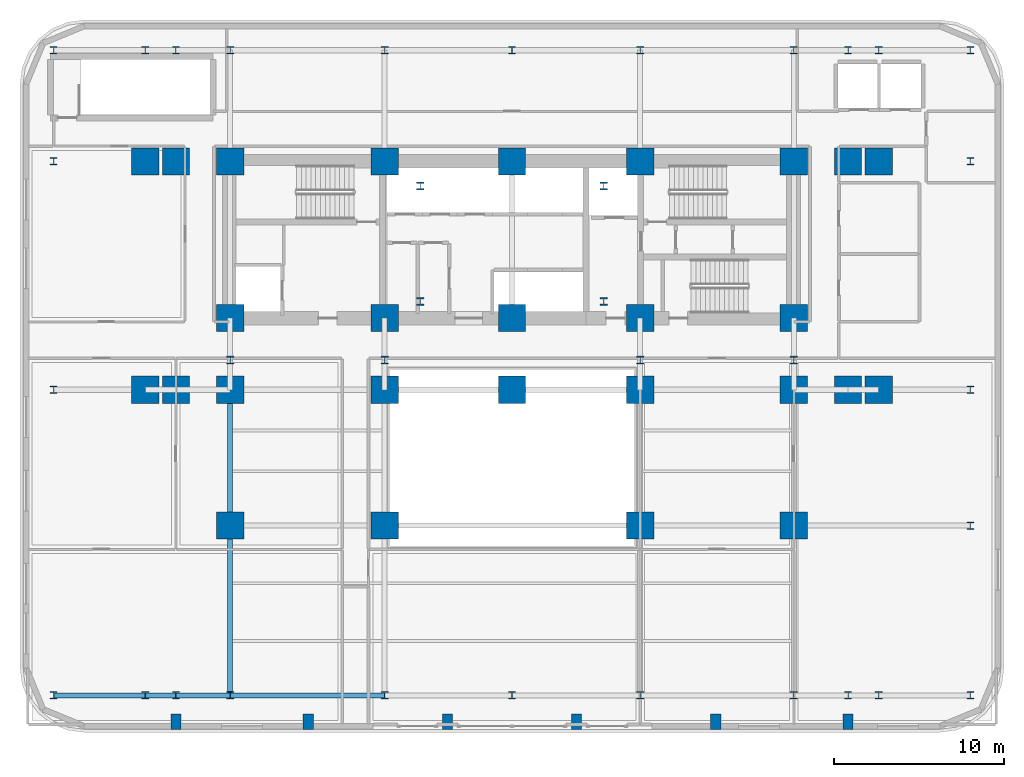
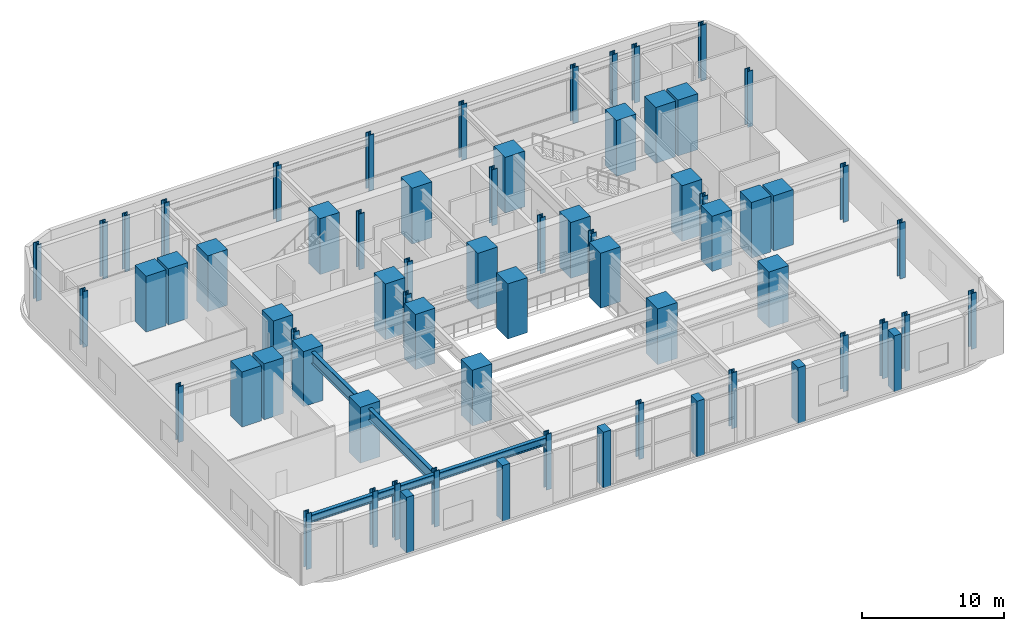
# One storey, part 1 of 15: 68 columns, 6 beams.
"""IFC4 building model written with IfcOpenShell, lengths in metres."""

from ifc_helpers import new_model, si_unit, direction, frame, origin, origin_2d, place, context, subcontext, project, spatial, rectangle, i_section, extrude, material, material_profile, profile_set, type_object, element, save


model = new_model("IFC4")

# Units and contexts
model_context = context("Model", 3, precision=1e-05, world=origin(), true_north=direction((0.0, 1.0)))
body_context = subcontext(model_context, "Body", "Model", "MODEL_VIEW")
ifc_project = project(units=[si_unit("LENGTHUNIT", "METRE"), si_unit("AREAUNIT", "SQUARE_METRE"), si_unit("VOLUMEUNIT", "CUBIC_METRE"), si_unit("PLANEANGLEUNIT", "RADIAN"), si_unit("MASSUNIT", "GRAM", prefix="KILO")], contexts=[model_context])

# Site, building, storey
site_placement = place(None, origin())
site = spatial("IfcSite", under=ifc_project, at=site_placement, CompositionType="ELEMENT")
building_placement = place(site_placement, origin())
building = spatial("IfcBuilding", under=site, at=building_placement, Name="Zarnavel Station Tower", CompositionType="ELEMENT")
storey_placement = place(building_placement, frame((0.0, 0.0, 24.199951171875)))
storey = spatial("IfcBuildingStorey", under=building, at=storey_placement, Name="L06", CompositionType="ELEMENT", Elevation=24.199951171875)

# Columns
ifc_material_1 = material(Name="Steel S460M", Category="steel")
ifc_material_profile_1 = material_profile(ifc_material_1, i_section(OverallWidth=0.424072265625, OverallDepth=0.449951171875, WebThickness=0.041015625, FlangeThickness=0.06494140625, FilletRadius=0.014892578125, at=origin_2d()), Name="HD400x509")
ifc_profile_set_1 = profile_set([ifc_material_profile_1], Name="Steel S460M")
column_type_1 = type_object("IfcColumnType", Name="EC_HD509", PredefinedType="COLUMN", material=ifc_profile_set_1)
for number, where, z_axis, x_axis, name in (
    (1, (1.800048828125, 5.60009765625, 0.0), (0.0, 0.0, 1.0), (1.0, 0.0, 0.0), "L06 Perimeter Column 1-1"),
    (2, (1.800048828125, 23.60009765625, 0.0), (0.0, 0.0, 1.0), (1.0, 0.0, 0.0), "L06 Perimeter Column 1-3"),
    (3, (1.800048828125, 37.050048828125, 0.0), (0.0, 0.0, 1.0), (1.0, 0.0, 0.0), "L06 Perimeter Column 1-4"),
    (4, (1.800048828125, 43.60009765625, 0.0), (0.0, 0.0, 1.0), (1.0, 0.0, 0.0), "L06 Perimeter Column 1-5"),
    (5, (7.199951171875, 5.60009765625, 0.0), (0.0, 0.0, 1.0), (1.0, 0.0, 0.0), "L06 Perimeter Column 2-1"),
    (6, (7.199951171875, 43.60009765625, 0.0), (0.0, 0.0, 1.0), (1.0, 0.0, 0.0), "L06 Perimeter Column 2-5"),
    (7, (9.0, 5.60009765625, 0.0), (0.0, 0.0, 1.0), (1.0, 0.0, 0.0), "L06 Perimeter Column 3-1"),
    (8, (9.0, 43.60009765625, 0.0), (0.0, 0.0, 1.0), (1.0, 0.0, 0.0), "L06 Perimeter Column 3-5"),
    (9, (12.199951171875, 5.60009765625, 0.0), (0.0, 0.0, 1.0), (1.0, 0.0, 0.0), "L06 Perimeter Column 4-1"),
    (10, (12.199951171875, 43.60009765625, 0.0), (0.0, 0.0, 1.0), (1.0, 0.0, 0.0), "L06 Perimeter Column 4-5"),
    (11, (21.300048828125, 5.60009765625, 0.0), (0.0, 0.0, 1.0), (1.0, 0.0, 0.0), "L06 Perimeter Column 5-1"),
    (12, (21.300048828125, 43.60009765625, 0.0), (0.0, 0.0, 1.0), (1.0, 0.0, 0.0), "L06 Perimeter Column 5-5"),
    (13, (28.800048828125, 5.60009765625, 0.0), (0.0, 0.0, 1.0), (1.0, 0.0, 0.0), "L06 Perimeter Column 6-1"),
    (14, (28.800048828125, 43.60009765625, 0.0), (0.0, 0.0, 1.0), (1.0, 0.0, 0.0), "L06 Perimeter Column 6-5"),
    (15, (36.35009765625, 5.60009765625, 0.0), (0.0, 0.0, 1.0), (1.0, 0.0, 0.0), "L06 Perimeter Column 7-1"),
    (16, (36.35009765625, 43.60009765625, 0.0), (0.0, 0.0, 1.0), (1.0, 0.0, 0.0), "L06 Perimeter Column 7-5"),
    (17, (45.39990234375, 5.60009765625, 0.0), (0.0, 0.0, 1.0), (1.0, 0.0, 0.0), "L06 Perimeter Column 8-1"),
    (18, (45.39990234375, 43.60009765625, 0.0), (0.0, 0.0, 1.0), (1.0, 0.0, 0.0), "L06 Perimeter Column 8-5"),
    (19, (48.60009765625, 5.60009765625, 0.0), (0.0, 0.0, 1.0), (1.0, 0.0, 0.0), "L06 Perimeter Column 9-1"),
    (20, (48.60009765625, 43.60009765625, 0.0), (0.0, 0.0, 1.0), (1.0, 0.0, 0.0), "L06 Perimeter Column 9-5"),
    (21, (50.39990234375, 5.60009765625, 0.0), (0.0, 0.0, 1.0), (1.0, 0.0, 0.0), "L06 Perimeter Column 10-1"),
    (22, (50.39990234375, 43.60009765625, 0.0), (0.0, 0.0, 1.0), (1.0, 0.0, 0.0), "L06 Perimeter Column 10-5"),
    (23, (55.800048828125, 5.60009765625, 0.0), (0.0, 0.0, 1.0), (1.0, 0.0, 0.0), "L06 Perimeter Column 11-1"),
    (24, (55.800048828125, 15.60009765625, 0.0), (0.0, 0.0, 1.0), (1.0, 0.0, 0.0), "L06 Perimeter Column 11-2"),
    (25, (55.800048828125, 23.60009765625, 0.0), (0.0, 0.0, 1.0), (1.0, 0.0, 0.0), "L06 Perimeter Column 11-3"),
    (26, (55.800048828125, 37.050048828125, 0.0), (0.0, 0.0, 1.0), (1.0, 0.0, 0.0), "L06 Perimeter Column 11-4"),
    (27, (55.800048828125, 43.60009765625, 0.0), (0.0, 0.0, 1.0), (1.0, 0.0, 0.0), "L06 Perimeter Column 11-5"),
):
    element("IfcColumn", number, at=place(storey_placement, frame(where, z_axis=z_axis, x_axis=x_axis)), inside=storey, type_object=column_type_1, Name=name, PredefinedType="COLUMN", context=body_context, shape_type="SweptSolid", body=[
        extrude(i_section(OverallWidth=0.424072265625, OverallDepth=0.449951171875, WebThickness=0.041015625, FlangeThickness=0.06494140625, FilletRadius=0.014892578125, at=origin_2d()), origin(), (0.0, 0.0, 1.0), 4.800048828125),
    ])
ifc_material_2 = material(Name="Steel S460M", Category="steel")
ifc_material_profile_2 = material_profile(ifc_material_2, i_section(OverallWidth=0.427978515625, OverallDepth=0.465087890625, WebThickness=0.044921875, FlangeThickness=0.072998046875, FilletRadius=0.014892578125, at=origin_2d()), Name="HD400x592")
ifc_profile_set_2 = profile_set([ifc_material_profile_2], Name="Steel S460M")
column_type_2 = type_object("IfcColumnType", Name="IC_HD592", PredefinedType="COLUMN", material=ifc_profile_set_2)
for number, where, z_axis, x_axis, name in (
    (28, (23.39990234375, 28.800048828125, 0.0), (0.0, 0.0, 1.0), (1.0, 0.0, 0.0), "L06 Mast Spine Column 1"),
    (29, (34.199951171875, 28.800048828125, 0.0), (0.0, 0.0, 1.0), (1.0, 0.0, 0.0), "L06 Mast Spine Column 2"),
    (30, (34.199951171875, 35.60009765625, 0.0), (0.0, 0.0, 1.0), (1.0, 0.0, 0.0), "L06 Mast Spine Column 3"),
    (31, (23.39990234375, 35.60009765625, 0.0), (0.0, 0.0, 1.0), (1.0, 0.0, 0.0), "L06 Mast Spine Column 4"),
    (32, (12.199951171875, 25.35009765625, 0.0), (0.0, 0.0, 1.0), (1.0, 0.0, 0.0), "L06 Inner Spine Column 1"),
    (33, (21.300048828125, 25.35009765625, 0.0), (0.0, 0.0, 1.0), (1.0, 0.0, 0.0), "L06 Inner Spine Column 2"),
    (34, (36.35009765625, 25.35009765625, 0.0), (0.0, 0.0, 1.0), (1.0, 0.0, 0.0), "L06 Inner Spine Column 4"),
    (35, (45.39990234375, 25.35009765625, 0.0), (0.0, 0.0, 1.0), (1.0, 0.0, 0.0), "L06 Inner Spine Column 5"),
):
    element("IfcColumn", number, at=place(storey_placement, frame(where, z_axis=z_axis, x_axis=x_axis)), inside=storey, type_object=column_type_2, Name=name, PredefinedType="COLUMN", context=body_context, shape_type="SweptSolid", body=[
        extrude(i_section(OverallWidth=0.427978515625, OverallDepth=0.465087890625, WebThickness=0.044921875, FlangeThickness=0.072998046875, FilletRadius=0.014892578125, at=origin_2d()), origin(), (0.0, 0.0, 1.0), 4.800048828125),
    ])
ifc_material_3 = material(Name="Concrete C60/75", Category="concrete")
ifc_material_profile_3 = material_profile(ifc_material_3, rectangle(XDim=1.60009765625, YDim=1.60009765625, at=origin_2d()), Name="RC1600x1600")
ifc_profile_set_3 = profile_set([ifc_material_profile_3], Name="Concrete C60/75")
column_type_3 = type_object("IfcColumnType", Name="IC_RC1600", PredefinedType="COLUMN", material=ifc_profile_set_3)
for number, where, z_axis, x_axis, name in (
    (36, (12.199951171875, 27.820068359375, 0.0), (0.0, 0.0, 1.0), (1.0, 0.0, 0.0), "L06 Core Spine Column 1-1"),
    (37, (12.199951171875, 37.050048828125, 0.0), (0.0, 0.0, 1.0), (1.0, 0.0, 0.0), "L06 Core Spine Column 1-2"),
    (38, (21.300048828125, 27.820068359375, 0.0), (0.0, 0.0, 1.0), (1.0, 0.0, 0.0), "L06 Core Spine Column 2-1"),
    (39, (21.300048828125, 37.050048828125, 0.0), (0.0, 0.0, 1.0), (1.0, 0.0, 0.0), "L06 Core Spine Column 2-2"),
    (40, (28.800048828125, 27.820068359375, 0.0), (0.0, 0.0, 1.0), (1.0, 0.0, 0.0), "L06 Core Spine Column 3-1"),
    (41, (28.800048828125, 37.050048828125, 0.0), (0.0, 0.0, 1.0), (1.0, 0.0, 0.0), "L06 Core Spine Column 3-2"),
    (42, (36.35009765625, 27.820068359375, 0.0), (0.0, 0.0, 1.0), (1.0, 0.0, 0.0), "L06 Core Spine Column 4-1"),
    (43, (36.35009765625, 37.050048828125, 0.0), (0.0, 0.0, 1.0), (1.0, 0.0, 0.0), "L06 Core Spine Column 4-2"),
    (44, (45.39990234375, 27.820068359375, 0.0), (0.0, 0.0, 1.0), (1.0, 0.0, 0.0), "L06 Core Spine Column 5-1"),
    (45, (45.39990234375, 37.050048828125, 0.0), (0.0, 0.0, 1.0), (1.0, 0.0, 0.0), "L06 Core Spine Column 5-2"),
):
    element("IfcColumn", number, at=place(storey_placement, frame(where, z_axis=z_axis, x_axis=x_axis)), inside=storey, type_object=column_type_3, Name=name, PredefinedType="COLUMN", context=body_context, shape_type="SweptSolid", body=[
        extrude(rectangle(XDim=1.60009765625, YDim=1.60009765625, at=origin_2d()), origin(), (0.0, 0.0, 1.0), 4.800048828125),
    ])
column_1_placement = place(storey_placement, frame((7.199951171875, 23.60009765625, 0.0), z_axis=(0.0, 0.0, 1.0), x_axis=(1.0, 0.0, 0.0)))
element("IfcColumn", 46, at=column_1_placement, inside=storey, type_object=column_type_3, Name="L06 Podium Column 2-3", PredefinedType="COLUMN", context=body_context, shape_type="SweptSolid", body=[
    extrude(rectangle(XDim=1.60009765625, YDim=1.60009765625, at=origin_2d()), origin(), (0.0, 0.0, 1.0), 4.73193359375),
])
for number, where, z_axis, x_axis, name in (
    (47, (7.199951171875, 37.050048828125, 0.0), (0.0, 0.0, 1.0), (1.0, 0.0, 0.0), "L06 Podium Column 2-4"),
    (48, (9.0, 23.60009765625, 0.0), (0.0, 0.0, 1.0), (1.0, 0.0, 0.0), "L06 Podium Column 3-3"),
    (49, (9.0, 37.050048828125, 0.0), (0.0, 0.0, 1.0), (1.0, 0.0, 0.0), "L06 Podium Column 3-4"),
    (50, (12.199951171875, 15.60009765625, 0.0), (0.0, 0.0, 1.0), (1.0, 0.0, 0.0), "L06 Podium Column 4-2"),
):
    element("IfcColumn", number, at=place(storey_placement, frame(where, z_axis=z_axis, x_axis=x_axis)), inside=storey, type_object=column_type_3, Name=name, PredefinedType="COLUMN", context=body_context, shape_type="SweptSolid", body=[
        extrude(rectangle(XDim=1.60009765625, YDim=1.60009765625, at=origin_2d()), origin(), (0.0, 0.0, 1.0), 4.800048828125),
    ])
column_2_placement = place(storey_placement, frame((12.199951171875, 23.60009765625, 0.0), z_axis=(0.0, 0.0, 1.0), x_axis=(1.0, 0.0, 0.0)))
element("IfcColumn", 51, at=column_2_placement, inside=storey, type_object=column_type_3, Name="L06 Podium Column 4-3", PredefinedType="COLUMN", context=body_context, shape_type="SweptSolid", body=[
    extrude(rectangle(XDim=1.60009765625, YDim=1.60009765625, at=origin_2d()), origin(), (0.0, 0.0, 1.0), 4.73193359375),
])
column_3_placement = place(storey_placement, frame((21.300048828125, 15.60009765625, 0.0), z_axis=(0.0, 0.0, 1.0), x_axis=(1.0, 0.0, 0.0)))
element("IfcColumn", 52, at=column_3_placement, inside=storey, type_object=column_type_3, Name="L06 Podium Column 5-2", PredefinedType="COLUMN", context=body_context, shape_type="SweptSolid", body=[
    extrude(rectangle(XDim=1.60009765625, YDim=1.60009765625, at=origin_2d()), origin(), (0.0, 0.0, 1.0), 4.800048828125),
])
for number, where, z_axis, x_axis, name in (
    (53, (21.300048828125, 23.60009765625, 0.0), (0.0, 0.0, 1.0), (1.0, 0.0, 0.0), "L06 Podium Column 5-3"),
    (54, (28.800048828125, 23.60009765625, 0.0), (0.0, 0.0, 1.0), (1.0, 0.0, 0.0), "L06 Podium Column 6-3"),
):
    element("IfcColumn", number, at=place(storey_placement, frame(where, z_axis=z_axis, x_axis=x_axis)), inside=storey, type_object=column_type_3, Name=name, PredefinedType="COLUMN", context=body_context, shape_type="SweptSolid", body=[
        extrude(rectangle(XDim=1.60009765625, YDim=1.60009765625, at=origin_2d()), origin(), (0.0, 0.0, 1.0), 4.73193359375),
    ])
column_4_placement = place(storey_placement, frame((36.35009765625, 15.60009765625, 0.0), z_axis=(0.0, 0.0, 1.0), x_axis=(1.0, 0.0, 0.0)))
element("IfcColumn", 55, at=column_4_placement, inside=storey, type_object=column_type_3, Name="L06 Podium Column 7-2", PredefinedType="COLUMN", context=body_context, shape_type="SweptSolid", body=[
    extrude(rectangle(XDim=1.60009765625, YDim=1.60009765625, at=origin_2d()), origin(), (0.0, 0.0, 1.0), 4.800048828125),
])
column_5_placement = place(storey_placement, frame((36.35009765625, 23.60009765625, 0.0), z_axis=(0.0, 0.0, 1.0), x_axis=(1.0, 0.0, 0.0)))
element("IfcColumn", 56, at=column_5_placement, inside=storey, type_object=column_type_3, Name="L06 Podium Column 7-3", PredefinedType="COLUMN", context=body_context, shape_type="SweptSolid", body=[
    extrude(rectangle(XDim=1.60009765625, YDim=1.60009765625, at=origin_2d()), origin(), (0.0, 0.0, 1.0), 4.73193359375),
])
column_6_placement = place(storey_placement, frame((45.39990234375, 15.60009765625, 0.0), z_axis=(0.0, 0.0, 1.0), x_axis=(1.0, 0.0, 0.0)))
element("IfcColumn", 57, at=column_6_placement, inside=storey, type_object=column_type_3, Name="L06 Podium Column 8-2", PredefinedType="COLUMN", context=body_context, shape_type="SweptSolid", body=[
    extrude(rectangle(XDim=1.60009765625, YDim=1.60009765625, at=origin_2d()), origin(), (0.0, 0.0, 1.0), 4.800048828125),
])
column_7_placement = place(storey_placement, frame((45.39990234375, 23.60009765625, 0.0), z_axis=(0.0, 0.0, 1.0), x_axis=(1.0, 0.0, 0.0)))
element("IfcColumn", 58, at=column_7_placement, inside=storey, type_object=column_type_3, Name="L06 Podium Column 8-3", PredefinedType="COLUMN", context=body_context, shape_type="SweptSolid", body=[
    extrude(rectangle(XDim=1.60009765625, YDim=1.60009765625, at=origin_2d()), origin(), (0.0, 0.0, 1.0), 4.73193359375),
])
for number, where, z_axis, x_axis, name in (
    (59, (48.60009765625, 23.60009765625, 0.0), (0.0, 0.0, 1.0), (1.0, 0.0, 0.0), "L06 Podium Column 9-3"),
    (60, (48.60009765625, 37.050048828125, 0.0), (0.0, 0.0, 1.0), (1.0, 0.0, 0.0), "L06 Podium Column 9-4"),
):
    element("IfcColumn", number, at=place(storey_placement, frame(where, z_axis=z_axis, x_axis=x_axis)), inside=storey, type_object=column_type_3, Name=name, PredefinedType="COLUMN", context=body_context, shape_type="SweptSolid", body=[
        extrude(rectangle(XDim=1.60009765625, YDim=1.60009765625, at=origin_2d()), origin(), (0.0, 0.0, 1.0), 4.800048828125),
    ])
column_8_placement = place(storey_placement, frame((50.39990234375, 23.60009765625, 0.0), z_axis=(0.0, 0.0, 1.0), x_axis=(1.0, 0.0, 0.0)))
element("IfcColumn", 61, at=column_8_placement, inside=storey, type_object=column_type_3, Name="L06 Podium Column 10-3", PredefinedType="COLUMN", context=body_context, shape_type="SweptSolid", body=[
    extrude(rectangle(XDim=1.60009765625, YDim=1.60009765625, at=origin_2d()), origin(), (0.0, 0.0, 1.0), 4.73193359375),
])
column_9_placement = place(storey_placement, frame((50.39990234375, 37.050048828125, 0.0), z_axis=(0.0, 0.0, 1.0), x_axis=(1.0, 0.0, 0.0)))
element("IfcColumn", 62, at=column_9_placement, inside=storey, type_object=column_type_3, Name="L06 Podium Column 10-4", PredefinedType="COLUMN", context=body_context, shape_type="SweptSolid", body=[
    extrude(rectangle(XDim=1.60009765625, YDim=1.60009765625, at=origin_2d()), origin(), (0.0, 0.0, 1.0), 4.800048828125),
])
ifc_material_4 = material(Name="Precast concrete C45/55", Category="concrete")
ifc_material_profile_4 = material_profile(ifc_material_4, rectangle(XDim=0.60009765625, YDim=0.89990234375, at=origin_2d()), Name="RC600x900")
ifc_profile_set_4 = profile_set([ifc_material_profile_4], Name="Precast concrete C45/55")
column_type_4 = type_object("IfcColumnType", Name="PL_BASALT", PredefinedType="PILASTER", material=ifc_profile_set_4)
for number, where, z_axis, x_axis, name in (
    (63, (9.0, 4.050048828125, 0.0), (0.0, 0.0, 1.0), (1.0, 0.0, 0.0), "L06 Basalt Facade Pilaster S1"),
    (64, (16.800048828125, 4.050048828125, 0.0), (0.0, 0.0, 1.0), (1.0, 0.0, 0.0), "L06 Basalt Facade Pilaster S2"),
    (65, (25.0, 4.050048828125, 0.0), (0.0, 0.0, 1.0), (1.0, 0.0, 0.0), "L06 Basalt Facade Pilaster S3"),
    (66, (32.60009765625, 4.050048828125, 0.0), (0.0, 0.0, 1.0), (1.0, 0.0, 0.0), "L06 Basalt Facade Pilaster S4"),
    (67, (40.800048828125, 4.050048828125, 0.0), (0.0, 0.0, 1.0), (1.0, 0.0, 0.0), "L06 Basalt Facade Pilaster S5"),
    (68, (48.60009765625, 4.050048828125, 0.0), (0.0, 0.0, 1.0), (1.0, 0.0, 0.0), "L06 Basalt Facade Pilaster S6"),
):
    element("IfcColumn", number, at=place(storey_placement, frame(where, z_axis=z_axis, x_axis=x_axis)), inside=storey, type_object=column_type_4, Name=name, PredefinedType="PILASTER", context=body_context, shape_type="SweptSolid", body=[
        extrude(rectangle(XDim=0.60009765625, YDim=0.89990234375, at=origin_2d()), origin(), (0.0, 0.0, 1.0), 4.800048828125),
    ])

# Beams
ifc_material_5 = material(Name="Steel S355J2", Category="steel")
ifc_material_profile_5 = material_profile(ifc_material_5, i_section(OverallWidth=0.300048828125, OverallDepth=0.64990234375, WebThickness=0.01611328125, FlangeThickness=0.031005859375, FilletRadius=0.027099609375, at=origin_2d()), Name="HEB650")
ifc_profile_set_5 = profile_set([ifc_material_profile_5], Name="Steel S355J2")
beam_type_1 = type_object("IfcBeamType", Name="FG_HEB650", PredefinedType="USERDEFINED", material=ifc_profile_set_5)
beam_1_placement = place(storey_placement, frame((1.800048828125, 5.60009765625, 4.155029296875), z_axis=(1.0, 0.0, 0.0), x_axis=(0.0, 1.0, 0.0)))
element("IfcBeam", 69, at=beam_1_placement, inside=storey, type_object=beam_type_1, Name="L06 EW Frame Girder 1-1", ObjectType="GIRDER", PredefinedType="USERDEFINED", context=body_context, shape_type="SweptSolid", body=[
    extrude(i_section(OverallWidth=0.300048828125, OverallDepth=0.64990234375, WebThickness=0.01611328125, FlangeThickness=0.031005859375, FilletRadius=0.027099609375, at=origin_2d()), origin(), (0.0, 0.0, 1.0), 5.39990234375),
])
beam_2_placement = place(storey_placement, frame((7.199951171875, 5.60009765625, 4.155029296875), z_axis=(1.0, 0.0, 0.0), x_axis=(0.0, 1.0, 0.0)))
element("IfcBeam", 70, at=beam_2_placement, inside=storey, type_object=beam_type_1, Name="L06 EW Frame Girder 1-2", ObjectType="GIRDER", PredefinedType="USERDEFINED", context=body_context, shape_type="SweptSolid", body=[
    extrude(i_section(OverallWidth=0.300048828125, OverallDepth=0.64990234375, WebThickness=0.01611328125, FlangeThickness=0.031005859375, FilletRadius=0.027099609375, at=origin_2d()), origin(), (0.0, 0.0, 1.0), 1.800048828125),
])
beam_3_placement = place(storey_placement, frame((9.0, 5.60009765625, 4.155029296875), z_axis=(1.0, 0.0, 0.0), x_axis=(0.0, 1.0, 0.0)))
element("IfcBeam", 71, at=beam_3_placement, inside=storey, type_object=beam_type_1, Name="L06 EW Frame Girder 1-3", ObjectType="GIRDER", PredefinedType="USERDEFINED", context=body_context, shape_type="SweptSolid", body=[
    extrude(i_section(OverallWidth=0.300048828125, OverallDepth=0.64990234375, WebThickness=0.01611328125, FlangeThickness=0.031005859375, FilletRadius=0.027099609375, at=origin_2d()), origin(), (0.0, 0.0, 1.0), 3.199951171875),
])
beam_4_placement = place(storey_placement, frame((12.199951171875, 5.60009765625, 4.155029296875), z_axis=(1.0, 0.0, 0.0), x_axis=(0.0, 1.0, 0.0)))
element("IfcBeam", 72, at=beam_4_placement, inside=storey, type_object=beam_type_1, Name="L06 EW Frame Girder 1-4", ObjectType="GIRDER", PredefinedType="USERDEFINED", context=body_context, shape_type="SweptSolid", body=[
    extrude(i_section(OverallWidth=0.300048828125, OverallDepth=0.64990234375, WebThickness=0.01611328125, FlangeThickness=0.031005859375, FilletRadius=0.027099609375, at=origin_2d()), origin(), (0.0, 0.0, 1.0), 9.10009765625),
])
ifc_material_6 = material(Name="Steel S460M", Category="steel")
ifc_material_profile_6 = material_profile(ifc_material_6, i_section(OverallWidth=0.302001953125, OverallDepth=1.008056640625, WebThickness=0.02099609375, FlangeThickness=0.0400390625, FilletRadius=0.030029296875, at=origin_2d()), Name="HEM1000")
ifc_profile_set_6 = profile_set([ifc_material_profile_6], Name="Steel S460M")
beam_type_2 = type_object("IfcBeamType", Name="TG_HEM1000", PredefinedType="USERDEFINED", material=ifc_profile_set_6)
beam_5_placement = place(storey_placement, frame((12.199951171875, 5.60009765625, 3.97607421875), z_axis=(0.0, 1.0, 0.0), x_axis=(-1.0, 0.0, 0.0)))
element("IfcBeam", 73, at=beam_5_placement, inside=storey, type_object=beam_type_2, Name="L06 NS Girder South 1", ObjectType="GIRDER", PredefinedType="USERDEFINED", context=body_context, shape_type="SweptSolid", body=[
    extrude(i_section(OverallWidth=0.302001953125, OverallDepth=1.008056640625, WebThickness=0.02099609375, FlangeThickness=0.0400390625, FilletRadius=0.030029296875, at=origin_2d()), origin(), (0.0, 0.0, 1.0), 10.0),
])
beam_6_placement = place(storey_placement, frame((12.199951171875, 15.60009765625, 3.97607421875), z_axis=(0.0, 1.0, 0.0), x_axis=(-1.0, 0.0, 0.0)))
element("IfcBeam", 74, at=beam_6_placement, inside=storey, type_object=beam_type_2, Name="L06 NS Girder Mid 1", ObjectType="GIRDER", PredefinedType="USERDEFINED", context=body_context, shape_type="SweptSolid", body=[
    extrude(i_section(OverallWidth=0.302001953125, OverallDepth=1.008056640625, WebThickness=0.02099609375, FlangeThickness=0.0400390625, FilletRadius=0.030029296875, at=origin_2d()), origin(), (0.0, 0.0, 1.0), 8.0),
])

save(model, "model.ifc")
